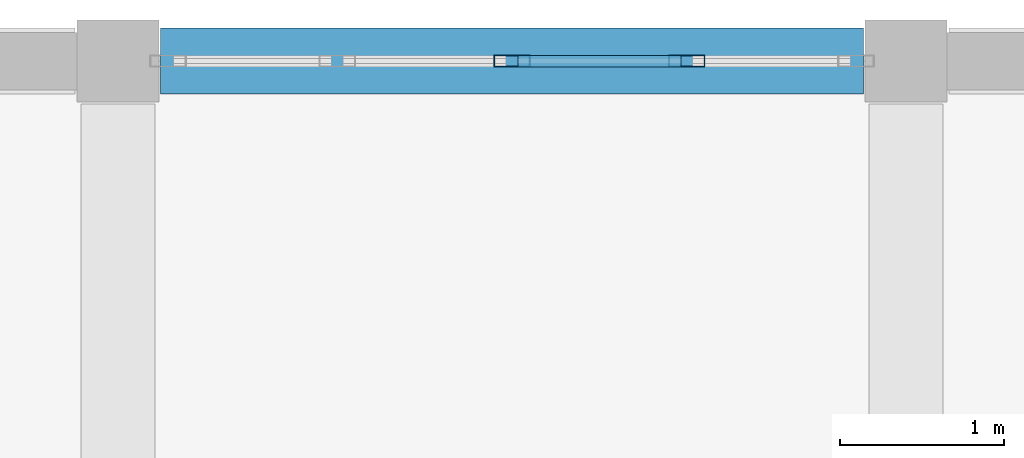
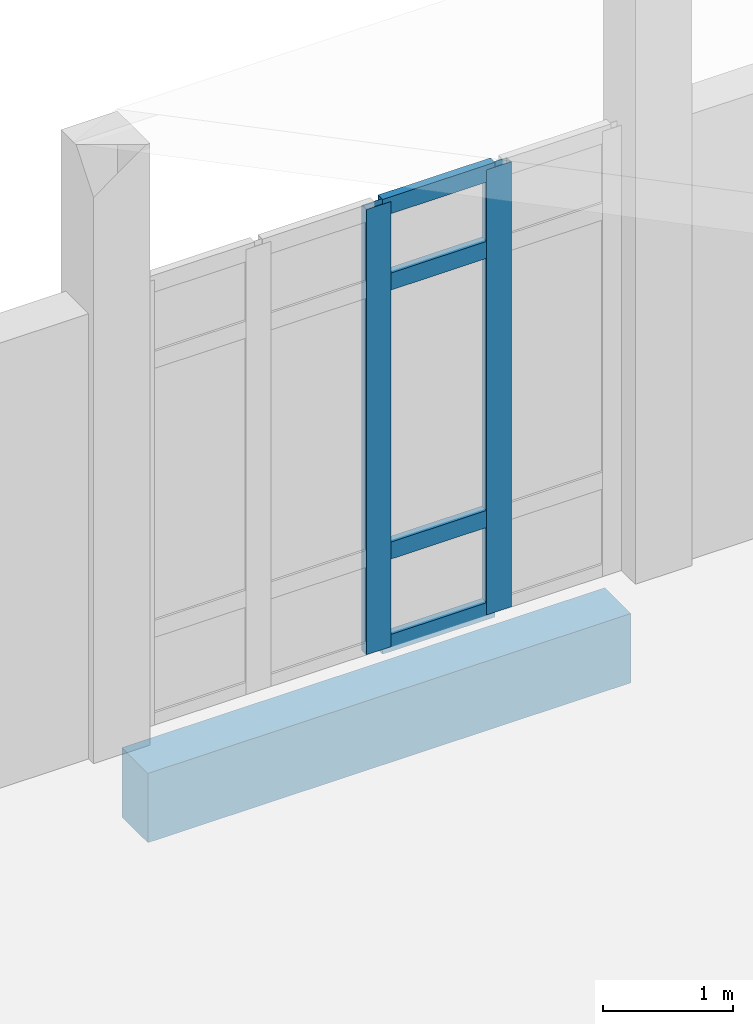
# One storey, part 80 of 164: 6 members, 1 beam, 1 element without a shape of its own.
"""IFC4 building model written with IfcOpenShell, lengths in metres."""

from ifc_helpers import new_model, si_unit, direction, frame, origin, origin_2d, place, context, subcontext, project, spatial, rectangle, hollow_rectangle, extrude, material, layer, layer_set, material_profile, profile_set, type_object, element, aggregate, save


model = new_model("IFC4")

# Units and contexts
model_context = context("Model", 3, precision=1e-05, world=origin(), true_north=direction((0.0, 1.0)))
body_context = subcontext(model_context, "Body", "Model", "MODEL_VIEW")
ifc_project = project(units=[si_unit("LENGTHUNIT", "METRE"), si_unit("AREAUNIT", "SQUARE_METRE"), si_unit("VOLUMEUNIT", "CUBIC_METRE"), si_unit("PLANEANGLEUNIT", "RADIAN"), si_unit("MASSUNIT", "GRAM", prefix="KILO")], contexts=[model_context])

# Site, building, storey
site_placement = place(None, origin())
site = spatial("IfcSite", under=ifc_project, at=site_placement, CompositionType="ELEMENT")
building_placement = place(site_placement, origin())
building = spatial("IfcBuilding", under=site, at=building_placement, Name="Mawjan Specialist Oncology Clinic", CompositionType="ELEMENT")
storey_placement = place(building_placement, frame((0.0, 0.0, 5.0)))
storey = spatial("IfcBuildingStorey", under=building, at=storey_placement, Name="L01", CompositionType="ELEMENT", Elevation=5.0)

# Curtain wall, members
ifc_material_1 = material(Name="Unitised spectrally selective aluminium curtain wall", Category="aluminium")
ifc_layer = layer(ifc_material_1, 0.179931640625, Name="Unitised spectrally selective aluminium curtain wall", Category="aluminium")
ifc_layer_set = layer_set([ifc_layer], Name="Unitised spectrally selective aluminium curtain wall")
curtain_wall_type = type_object("IfcCurtainWallType", Name="CW-63", PredefinedType="NOTDEFINED", material=ifc_layer_set)
curtain_wall_placement = place(storey_placement, origin())
curtain_wall = element("IfcCurtainWall", 1, at=curtain_wall_placement, inside=storey, type_object=curtain_wall_type, Name="L01 Unitised Curtain Wall CW-L01-119", PredefinedType="NOTDEFINED")
ifc_material_2 = material(Name="Thermally broken aluminium 6063-T6", Category="aluminium")
ifc_material_profile_1 = material_profile(ifc_material_2, hollow_rectangle(XDim=0.070068359375, YDim=0.219970703125, WallThickness=0.00390625, at=origin_2d()), Name="ALU MULLION 220x70x4", Category="aluminium")
ifc_profile_set_1 = profile_set([ifc_material_profile_1], Name="Thermally broken aluminium 6063-T6")
member_type_1 = type_object("IfcMemberType", Name="CW-M220", PredefinedType="MULLION", material=ifc_profile_set_1)
member_1_placement = place(storey_placement, frame((62.39990234375, 113.300048828125, 0.0), z_axis=(0.0, 0.0, 1.0), x_axis=(0.0, 1.0, 0.0)))
member_1 = element("IfcMember", 2, at=member_1_placement, type_object=member_type_1, Name="CW-63 mullion 3", PredefinedType="MULLION", context=body_context, shape_type="SweptSolid", body=[
    extrude(hollow_rectangle(XDim=0.070068359375, YDim=0.219970703125, WallThickness=0.00390625, at=origin_2d()), origin(), (0.0, 0.0, 1.0), 4.169921875),
])
member_2_placement = place(storey_placement, frame((63.465087890625, 113.300048828125, 0.0), z_axis=(0.0, 0.0, 1.0), x_axis=(0.0, 1.0, 0.0)))
member_2 = element("IfcMember", 3, at=member_2_placement, type_object=member_type_1, Name="CW-63 mullion 4", PredefinedType="MULLION", context=body_context, shape_type="SweptSolid", body=[
    extrude(hollow_rectangle(XDim=0.070068359375, YDim=0.219970703125, WallThickness=0.00390625, at=origin_2d()), origin(), (0.0, 0.0, 1.0), 4.169921875),
])
ifc_material_3 = material(Name="Thermally broken aluminium 6063-T6", Category="aluminium")
ifc_material_profile_2 = material_profile(ifc_material_3, hollow_rectangle(XDim=0.070068359375, YDim=0.159912109375, WallThickness=0.00390625, at=origin_2d()), Name="ALU TRANSOM 160x70x4", Category="aluminium")
ifc_profile_set_2 = profile_set([ifc_material_profile_2], Name="Thermally broken aluminium 6063-T6")
member_type_2 = type_object("IfcMemberType", Name="CW-T160", PredefinedType="USERDEFINED", material=ifc_profile_set_2)
member_3_placement = place(storey_placement, frame((62.43505859375, 113.300048828125, 0.034912109375), z_axis=(1.0, 0.0, 0.0), x_axis=(0.0, 1.0, 0.0)))
member_3 = element("IfcMember", 4, at=member_3_placement, type_object=member_type_2, Name="CW-63 transom 3.1", ObjectType="TRANSOM", PredefinedType="USERDEFINED", context=body_context, shape_type="SweptSolid", body=[
    extrude(hollow_rectangle(XDim=0.070068359375, YDim=0.159912109375, WallThickness=0.00390625, at=origin_2d()), origin(), (0.0, 0.0, 1.0), 0.994873046875),
])
member_4_placement = place(storey_placement, frame((62.43505859375, 113.300048828125, 0.89990234375), z_axis=(1.0, 0.0, 0.0), x_axis=(0.0, 1.0, 0.0)))
member_4 = element("IfcMember", 5, at=member_4_placement, type_object=member_type_2, Name="CW-63 transom 3.2", ObjectType="TRANSOM", PredefinedType="USERDEFINED", context=body_context, shape_type="SweptSolid", body=[
    extrude(hollow_rectangle(XDim=0.070068359375, YDim=0.159912109375, WallThickness=0.00390625, at=origin_2d()), origin(), (0.0, 0.0, 1.0), 0.994873046875),
])
member_5_placement = place(storey_placement, frame((62.43505859375, 113.300048828125, 3.419921875), z_axis=(1.0, 0.0, 0.0), x_axis=(0.0, 1.0, 0.0)))
member_5 = element("IfcMember", 6, at=member_5_placement, type_object=member_type_2, Name="CW-63 transom 3.3", ObjectType="TRANSOM", PredefinedType="USERDEFINED", context=body_context, shape_type="SweptSolid", body=[
    extrude(hollow_rectangle(XDim=0.070068359375, YDim=0.159912109375, WallThickness=0.00390625, at=origin_2d()), origin(), (0.0, 0.0, 1.0), 0.994873046875),
])
member_6_placement = place(storey_placement, frame((62.43505859375, 113.300048828125, 4.135009765625), z_axis=(1.0, 0.0, 0.0), x_axis=(0.0, 1.0, 0.0)))
member_6 = element("IfcMember", 7, at=member_6_placement, type_object=member_type_2, Name="CW-63 transom 3.4", ObjectType="TRANSOM", PredefinedType="USERDEFINED", context=body_context, shape_type="SweptSolid", body=[
    extrude(hollow_rectangle(XDim=0.070068359375, YDim=0.159912109375, WallThickness=0.00390625, at=origin_2d()), origin(), (0.0, 0.0, 1.0), 0.994873046875),
])
aggregate(curtain_wall, [member_1, member_2, member_3, member_4, member_5, member_6])

# Beam
ifc_material_4 = material(Name="Concrete C45/55", Category="concrete")
ifc_material_profile_3 = material_profile(ifc_material_4, rectangle(XDim=0.39990234375, YDim=0.64990234375, at=origin_2d()), Name="RC BM 400x650", Category="concrete")
ifc_profile_set_3 = profile_set([ifc_material_profile_3], Name="Concrete C45/55")
beam_type = type_object("IfcBeamType", Name="SP-400x650", PredefinedType="SPANDREL", material=ifc_profile_set_3)
beam_placement = place(storey_placement, frame((60.260009765625, 113.300048828125, -0.625), z_axis=(1.0, 0.0, 0.0), x_axis=(0.0, 1.0, 0.0)))
element("IfcBeam", 8, at=beam_placement, inside=storey, type_object=beam_type, Name="L01 Spandrel Beam BM-L01-0409", PredefinedType="SPANDREL", context=body_context, shape_type="SweptSolid", body=[
    extrude(rectangle(XDim=0.39990234375, YDim=0.64990234375, at=origin_2d()), origin(), (0.0, 0.0, 1.0), 4.280029296875),
])

save(model, "model.ifc")
